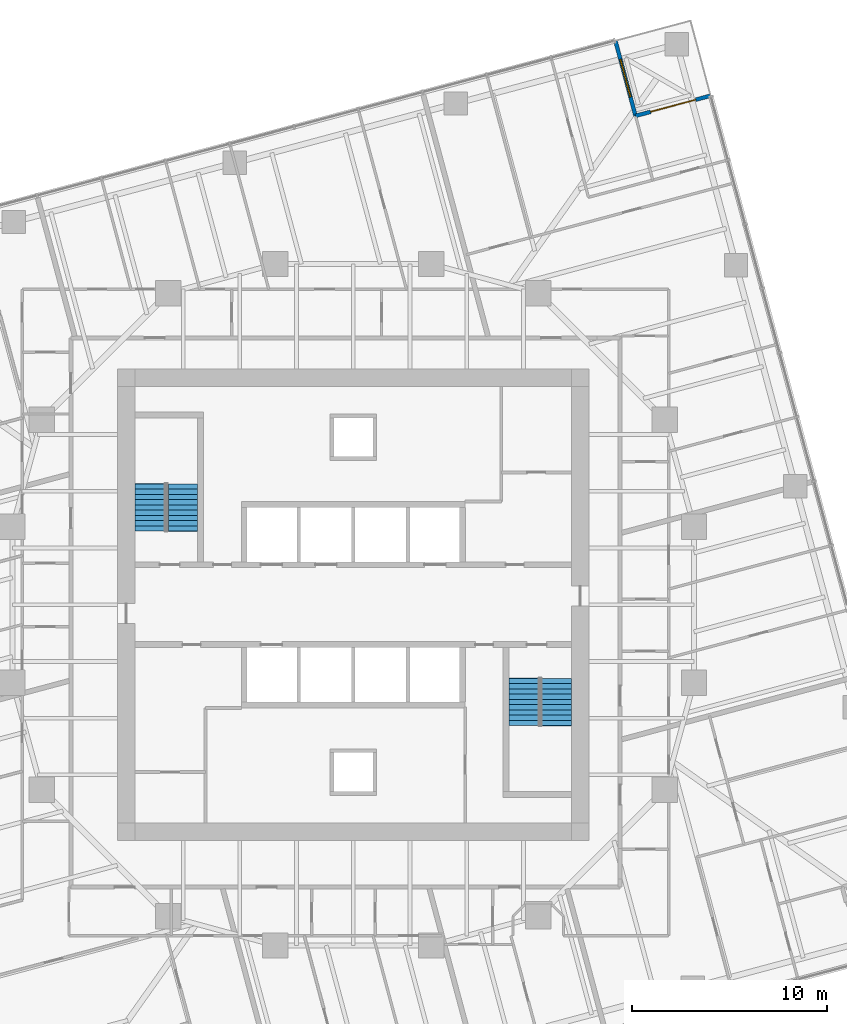
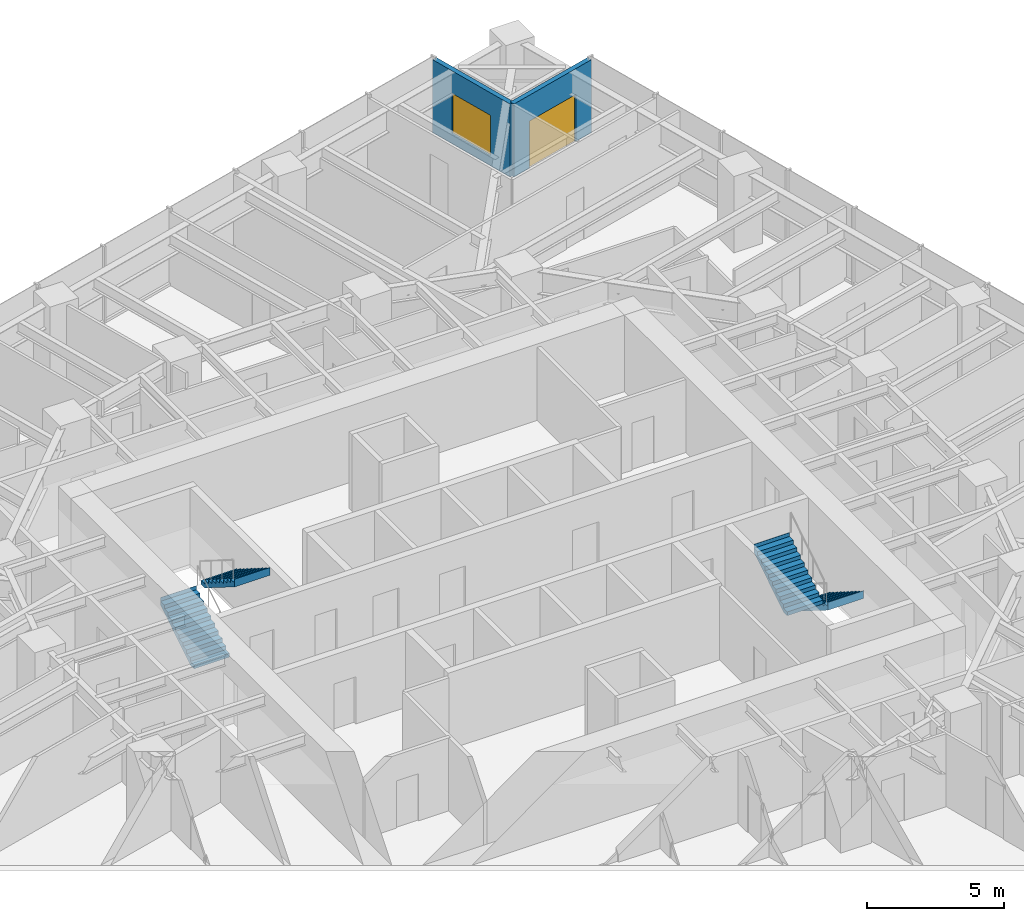
# One storey, part 13 of 14: 4 stair flights, 2 walls, 1 door, 1 window, 2 openings, 2 elements without a shape of their own.
"""IFC4 building model written with IfcOpenShell, lengths in metres."""

from ifc_helpers import new_model, si_unit, direction, frame, frame_2d, origin, place, context, subcontext, project, spatial, polyline, rectangle, outline, extrude, material, layer, layer_set, type_object, element, fill, aggregate, save


model = new_model("IFC4")

# Units and contexts
model_context = context("Model", 3, precision=1e-05, world=origin(), true_north=direction((0.0, 1.0)))
body_context = subcontext(model_context, "Body", "Model", "MODEL_VIEW")
ifc_project = project(units=[si_unit("LENGTHUNIT", "METRE"), si_unit("AREAUNIT", "SQUARE_METRE"), si_unit("VOLUMEUNIT", "CUBIC_METRE"), si_unit("PLANEANGLEUNIT", "RADIAN"), si_unit("MASSUNIT", "GRAM", prefix="KILO")], contexts=[model_context])

# Site, building, storey
site_placement = place(None, origin())
site = spatial("IfcSite", under=ifc_project, at=site_placement, CompositionType="ELEMENT")
building_placement = place(site_placement, origin())
building = spatial("IfcBuilding", under=site, at=building_placement, Name="Torsade Residences", CompositionType="ELEMENT")
storey_placement = place(building_placement, frame((0.0, 0.0, 128.60009765625)))
storey = spatial("IfcBuildingStorey", under=building, at=storey_placement, Name="L35", CompositionType="ELEMENT", Elevation=128.60009765625)

# Wall, opening, door
ifc_material_1 = material(Name="Stone-faced precast concrete 40 MPa panel", Category="masonry")
ifc_layer = layer(ifc_material_1, 0.199951171875)
ifc_layer_set = layer_set([ifc_layer], Name="Stone-faced precast concrete 40 MPa panel")
wall_type = type_object("IfcWallType", Name="TERRACE WALL 200", PredefinedType="SOLIDWALL", material=ifc_layer_set)
wall_1_placement = place(storey_placement, frame((58.359375, 56.142578125, 0.0), z_axis=(0.0, 0.0, 1.0), x_axis=(-0.965919172068, -0.258843877716, 0.0)))
wall_1 = element("IfcWall", 1, at=wall_1_placement, inside=storey, type_object=wall_type, Name="Terrace wall L35 5", PredefinedType="SOLIDWALL", context=body_context, shape_type="SweptSolid", body=[
    extrude(rectangle(XDim=4.0, YDim=0.199951171875, at=frame_2d((2.0, 0.0))), origin(), (0.0, 0.0, 1.0), 3.25),
])
opening_1_placement = place(wall_1_placement, frame((0.800048828125, 0.0, 0.0)))
opening_1 = element("IfcOpeningElement", 2, at=opening_1_placement, cuts=wall_1, Name="Opening D10A", PredefinedType="OPENING", context=body_context, shape_type="SweptSolid", body=[
    extrude(rectangle(XDim=2.39990234375, YDim=2.10009765625, at=frame_2d((1.199951171875, 1.050048828125))), frame((0.0, 0.10986328125, 0.0), z_axis=(0.0, -1.0, 0.0), x_axis=(1.0, 0.0, 0.0)), (0.0, 0.0, 1.0), 0.219970703125),
])
ifc_material_2 = material(Name="Aluminium-framed glass door", Category="aluminium")
door_type = type_object("IfcDoorType", Name="TERRACE SLIDING DOOR 2400x2100", OperationType="SLIDING_TO_LEFT", PredefinedType="DOOR", material=ifc_material_2)
door_placement = place(opening_1_placement, origin())
door = element("IfcDoor", 3, at=door_placement, inside=storey, type_object=door_type, Name="Terrace door L35 5", OperationType="SLIDING_TO_LEFT", OverallHeight=2.10009765625, OverallWidth=2.39990234375, PredefinedType="DOOR", context=body_context, shape_type="SweptSolid", body=[
    extrude(rectangle(XDim=2.39990234375, YDim=2.10009765625, at=frame_2d((1.199951171875, 1.050048828125))), frame((0.0, 0.02490234375, 0.0), z_axis=(0.0, -1.0, 0.0), x_axis=(1.0, 0.0, 0.0)), (0.0, 0.0, 1.0), 0.050048828125),
])
fill(opening_1, door)

# Wall, opening, window
wall_2_placement = place(storey_placement, frame((54.49560546875, 55.107177734375, 0.0), z_axis=(0.0, 0.0, 1.0), x_axis=(-0.258786931944, 0.965934430412, 0.0)))
wall_2 = element("IfcWall", 4, at=wall_2_placement, inside=storey, type_object=wall_type, Name="Terrace wall L35 6", PredefinedType="SOLIDWALL", context=body_context, shape_type="SweptSolid", body=[
    extrude(rectangle(XDim=4.0, YDim=0.199951171875, at=frame_2d((2.0, 0.0))), origin(), (0.0, 0.0, 1.0), 3.25),
])
opening_2_placement = place(wall_2_placement, frame((1.0, 0.0, 0.449951171875)))
opening_2 = element("IfcOpeningElement", 5, at=opening_2_placement, cuts=wall_2, Name="Opening W1B", PredefinedType="OPENING", context=body_context, shape_type="SweptSolid", body=[
    extrude(rectangle(XDim=2.0, YDim=1.800048828125, at=frame_2d((1.0, 0.89990234375))), frame((0.0, 0.10986328125, 0.0), z_axis=(0.0, -1.0, 0.0), x_axis=(1.0, 0.0, 0.0)), (0.0, 0.0, 1.0), 0.219970703125),
])
ifc_material_3 = material(Name="Aluminium-framed glass window", Category="aluminium")
window_type = type_object("IfcWindowType", Name="TERRACE WINDOW 2000x1800", PartitioningType="SINGLE_PANEL", PredefinedType="WINDOW", material=ifc_material_3)
window_placement = place(opening_2_placement, origin())
window = element("IfcWindow", 6, at=window_placement, inside=storey, type_object=window_type, Name="Terrace window L35 6", OverallHeight=1.800048828125, OverallWidth=2.0, PartitioningType="SINGLE_PANEL", PredefinedType="WINDOW", context=body_context, shape_type="SweptSolid", body=[
    extrude(rectangle(XDim=2.0, YDim=1.800048828125, at=frame_2d((1.0, 0.89990234375))), frame((0.0, 0.030029296875, 0.0), z_axis=(0.0, -1.0, 0.0), x_axis=(1.0, 0.0, 0.0)), (0.0, 0.0, 1.0), 0.06005859375),
])
fill(opening_2, window)

# Stair, stair flights
ifc_material_4 = material(Name="Precast concrete 40 MPa", Category="concrete")
stair_type = type_object("IfcStairType", Name="HALF-TURN FIRE STAIR 1500x3400", PredefinedType="HALF_TURN_STAIR", material=ifc_material_4)
stair_1_placement = place(storey_placement, origin())
stair_1 = element("IfcStair", 7, at=stair_1_placement, inside=storey, type_object=stair_type, Name="Stair ST1 L35", PredefinedType="HALF_TURN_STAIR")
ifc_material_5 = material(Name="Precast concrete 40 MPa", Category="concrete")
stair_flight_type = type_object("IfcStairFlightType", Name="PRECAST STAIR FLIGHT 1500x1700", PredefinedType="STRAIGHT", material=ifc_material_5)
stair_flight_1_placement = place(storey_placement, frame((29.550048828125, 33.780029296875, 0.0), z_axis=(0.0, 0.0, 1.0), x_axis=(0.0, 1.0, 0.0)))
stair_flight_1 = element("IfcStairFlight", 8, at=stair_flight_1_placement, type_object=stair_flight_type, Name="ST1 flight 1", NumberOfRisers=10, NumberOfTreads=9, PredefinedType="STRAIGHT", RiserHeight=0.17, TreadLength=0.27, context=body_context, shape_type="SweptSolid", body=[
    extrude(outline(polyline([(0.0, 0.0), (0.0, 0.169921875), (0.27001953125, 0.169921875), (0.27001953125, 0.340087890625), (0.5400390625, 0.340087890625), (0.5400390625, 0.510009765625), (0.81005859375, 0.510009765625), (0.81005859375, 0.679931640625), (1.080078125, 0.679931640625), (1.080078125, 0.85009765625), (1.35009765625, 0.85009765625), (1.35009765625, 1.02001953125), (1.6201171875, 1.02001953125), (1.6201171875, 1.18994140625), (1.889892578125, 1.18994140625), (1.889892578125, 1.360107421875), (2.159912109375, 1.360107421875), (2.159912109375, 1.530029296875), (2.429931640625, 1.530029296875), (2.429931640625, 1.699951171875), (2.43994140625, 1.699951171875), (2.43994140625, 1.352783203125), (2.429931640625, 1.352783203125), (0.28125, 0.0), (0.0, 0.0)])), frame((0.0, 0.75, 0.0), z_axis=(0.0, -1.0, 0.0), x_axis=(1.0, 0.0, 0.0)), (0.0, 0.0, 1.0), 1.5),
])
stair_flight_2_placement = place(storey_placement, frame((31.25, 36.2099609375, 1.699951171875), z_axis=(0.0, 0.0, 1.0), x_axis=(0.0, -1.0, 0.0)))
stair_flight_2 = element("IfcStairFlight", 9, at=stair_flight_2_placement, type_object=stair_flight_type, Name="ST1 flight 2", NumberOfRisers=10, NumberOfTreads=9, PredefinedType="STRAIGHT", RiserHeight=0.17, TreadLength=0.27, context=body_context, shape_type="SweptSolid", body=[
    extrude(outline(polyline([(0.0, 0.0), (0.0, 0.169921875), (0.27001953125, 0.169921875), (0.27001953125, 0.340087890625), (0.5400390625, 0.340087890625), (0.5400390625, 0.510009765625), (0.81005859375, 0.510009765625), (0.81005859375, 0.679931640625), (1.080078125, 0.679931640625), (1.080078125, 0.85009765625), (1.35009765625, 0.85009765625), (1.35009765625, 1.02001953125), (1.6201171875, 1.02001953125), (1.6201171875, 1.18994140625), (1.889892578125, 1.18994140625), (1.889892578125, 1.360107421875), (2.159912109375, 1.360107421875), (2.159912109375, 1.530029296875), (2.429931640625, 1.530029296875), (2.429931640625, 1.699951171875), (2.43994140625, 1.699951171875), (2.43994140625, 1.352783203125), (2.429931640625, 1.352783203125), (0.28125, 0.0), (0.0, 0.0)])), frame((0.0, 0.75, 0.0), z_axis=(0.0, -1.0, 0.0), x_axis=(1.0, 0.0, 0.0)), (0.0, 0.0, 1.0), 1.5),
])
aggregate(stair_1, [stair_flight_1, stair_flight_2])

stair_2_placement = place(storey_placement, origin())
stair_2 = element("IfcStair", 10, at=stair_2_placement, inside=storey, type_object=stair_type, Name="Stair ST2 L35", PredefinedType="HALF_TURN_STAIR")
stair_flight_3_placement = place(storey_placement, frame((50.449951171875, 26.219970703125, 0.0), z_axis=(0.0, 0.0, 1.0), x_axis=(0.0, -1.0, 0.0)))
stair_flight_3 = element("IfcStairFlight", 11, at=stair_flight_3_placement, type_object=stair_flight_type, Name="ST2 flight 1", NumberOfRisers=10, NumberOfTreads=9, PredefinedType="STRAIGHT", RiserHeight=0.17, TreadLength=0.27, context=body_context, shape_type="SweptSolid", body=[
    extrude(outline(polyline([(0.0, 0.0), (0.0, 0.169921875), (0.27001953125, 0.169921875), (0.27001953125, 0.340087890625), (0.5400390625, 0.340087890625), (0.5400390625, 0.510009765625), (0.81005859375, 0.510009765625), (0.81005859375, 0.679931640625), (1.080078125, 0.679931640625), (1.080078125, 0.85009765625), (1.35009765625, 0.85009765625), (1.35009765625, 1.02001953125), (1.6201171875, 1.02001953125), (1.6201171875, 1.18994140625), (1.889892578125, 1.18994140625), (1.889892578125, 1.360107421875), (2.159912109375, 1.360107421875), (2.159912109375, 1.530029296875), (2.429931640625, 1.530029296875), (2.429931640625, 1.699951171875), (2.43994140625, 1.699951171875), (2.43994140625, 1.352783203125), (2.429931640625, 1.352783203125), (0.28125, 0.0), (0.0, 0.0)])), frame((0.0, 0.75, 0.0), z_axis=(0.0, -1.0, 0.0), x_axis=(1.0, 0.0, 0.0)), (0.0, 0.0, 1.0), 1.5),
])
stair_flight_4_placement = place(storey_placement, frame((48.75, 23.7900390625, 1.699951171875), z_axis=(0.0, 0.0, 1.0), x_axis=(0.0, 1.0, 0.0)))
stair_flight_4 = element("IfcStairFlight", 12, at=stair_flight_4_placement, type_object=stair_flight_type, Name="ST2 flight 2", NumberOfRisers=10, NumberOfTreads=9, PredefinedType="STRAIGHT", RiserHeight=0.17, TreadLength=0.27, context=body_context, shape_type="SweptSolid", body=[
    extrude(outline(polyline([(0.0, 0.0), (0.0, 0.169921875), (0.27001953125, 0.169921875), (0.27001953125, 0.340087890625), (0.5400390625, 0.340087890625), (0.5400390625, 0.510009765625), (0.81005859375, 0.510009765625), (0.81005859375, 0.679931640625), (1.080078125, 0.679931640625), (1.080078125, 0.85009765625), (1.35009765625, 0.85009765625), (1.35009765625, 1.02001953125), (1.6201171875, 1.02001953125), (1.6201171875, 1.18994140625), (1.889892578125, 1.18994140625), (1.889892578125, 1.360107421875), (2.159912109375, 1.360107421875), (2.159912109375, 1.530029296875), (2.429931640625, 1.530029296875), (2.429931640625, 1.699951171875), (2.43994140625, 1.699951171875), (2.43994140625, 1.352783203125), (2.429931640625, 1.352783203125), (0.28125, 0.0), (0.0, 0.0)])), frame((0.0, 0.75, 0.0), z_axis=(0.0, -1.0, 0.0), x_axis=(1.0, 0.0, 0.0)), (0.0, 0.0, 1.0), 1.5),
])
aggregate(stair_2, [stair_flight_3, stair_flight_4])

save(model, "model.ifc")
